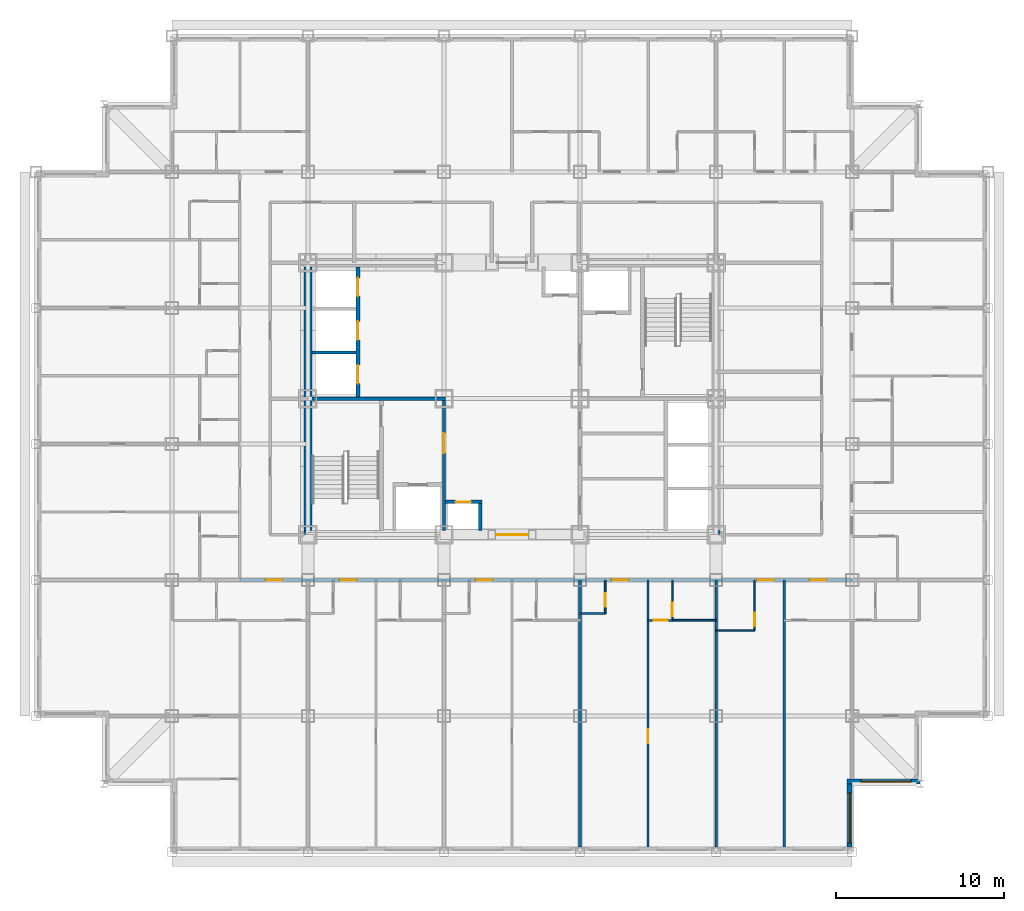
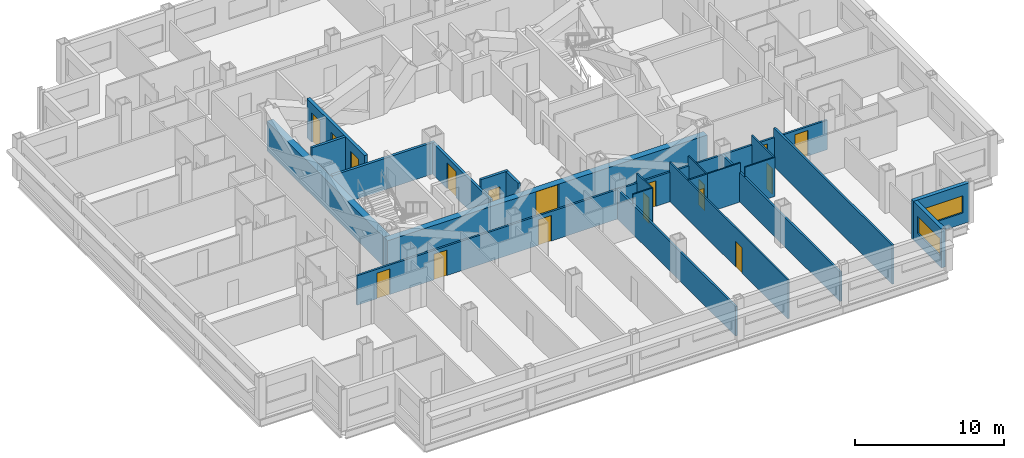
# One storey, part 6 of 12: 22 walls, 17 doors, 2 windows, 19 openings.
"""IFC4 building model written with IfcOpenShell, lengths in metres."""

from ifc_helpers import new_model, si_unit, direction, frame, frame_2d, origin, place, context, subcontext, project, spatial, rectangle, extrude, material, layer, layer_set, type_object, element, fill, save


model = new_model("IFC4")

# Units and contexts
model_context = context("Model", 3, precision=1e-05, world=origin(), true_north=direction((0.0, 1.0)))
body_context = subcontext(model_context, "Body", "Model", "MODEL_VIEW")
ifc_project = project(units=[si_unit("LENGTHUNIT", "METRE"), si_unit("AREAUNIT", "SQUARE_METRE"), si_unit("VOLUMEUNIT", "CUBIC_METRE"), si_unit("PLANEANGLEUNIT", "RADIAN"), si_unit("MASSUNIT", "GRAM", prefix="KILO")], contexts=[model_context])

# Site, building, storey
site_placement = place(None, origin())
site = spatial("IfcSite", under=ifc_project, at=site_placement, CompositionType="ELEMENT")
building_placement = place(site_placement, origin())
building = spatial("IfcBuilding", under=site, at=building_placement, Name="Kopane Lantern Tower", CompositionType="ELEMENT")
storey_placement = place(building_placement, frame((0.0, 0.0, 144.199951171875)))
storey = spatial("IfcBuildingStorey", under=building, at=storey_placement, Name="L37", CompositionType="ELEMENT", Elevation=144.199951171875)

# Wall, opening, door
ifc_material_1 = material(Name="Gypsum board on steel studs", Category="steel")
ifc_layer_1 = layer(ifc_material_1, 0.1201171875)
ifc_layer_set_1 = layer_set([ifc_layer_1], Name="APARTMENT INTERNAL WALL 120")
wall_type_1 = type_object("IfcWallType", Name="APARTMENT INTERNAL WALL 120", PredefinedType="PARTITIONING", material=ifc_layer_set_1)
wall_1_placement = place(storey_placement, frame((36.449951171875, 21.60009765625, 0.0), z_axis=(0.0, 0.0, 1.0), x_axis=(0.0, -1.0, 0.0)))
wall_1 = element("IfcWall", 1, at=wall_1_placement, inside=storey, type_object=wall_type_1, Name="Apartment Internal Wall 120 L37", PredefinedType="PARTITIONING", context=body_context, shape_type="SweptSolid", body=[
    extrude(rectangle(XDim=15.900146484375, YDim=0.1201171875, at=frame_2d((7.9501953125, 0.0))), origin(), (0.0, 0.0, 1.0), 3.18994140625),
])
opening_1_placement = place(wall_1_placement, frame((8.875, 0.0, 0.0)))
opening_1 = element("IfcOpeningElement", 2, at=opening_1_placement, cuts=wall_1, Name="Opening L37-023", PredefinedType="OPENING", context=body_context, shape_type="SweptSolid", body=[
    extrude(rectangle(XDim=0.85009765625, YDim=2.10009765625, at=frame_2d((0.425048828125, 1.050048828125))), frame((0.0, 0.070068359375, 0.0), z_axis=(0.0, -1.0, 0.0), x_axis=(1.0, 0.0, 0.0)), (0.0, 0.0, 1.0), 0.14013671875),
])
ifc_material_2 = material(Name="Timber door set", Category="wood")
door_type_1 = type_object("IfcDoorType", Name="DOOR D4 850x2100", OperationType="SINGLE_SWING_LEFT", PredefinedType="DOOR", material=ifc_material_2)
door_1_placement = place(opening_1_placement, origin())
door_1 = element("IfcDoor", 3, at=door_1_placement, inside=storey, type_object=door_type_1, Name="Door L37-023", OperationType="SINGLE_SWING_LEFT", OverallHeight=2.10009765625, OverallWidth=0.85009765625, PredefinedType="DOOR", context=body_context, shape_type="SweptSolid", body=[
    extrude(rectangle(XDim=0.85009765625, YDim=2.10009765625, at=frame_2d((0.425048828125, 1.050048828125))), frame((0.0, 0.02490234375, 0.0), z_axis=(0.0, -1.0, 0.0), x_axis=(1.0, 0.0, 0.0)), (0.0, 0.0, 1.0), 0.050048828125),
])
fill(opening_1, door_1)

wall_2_placement = place(storey_placement, frame((37.909912109375, 19.199951171875, 0.0), z_axis=(0.0, 0.0, 1.0), x_axis=(-1.0, 0.0, 0.0)))
wall_2 = element("IfcWall", 4, at=wall_2_placement, inside=storey, type_object=wall_type_1, Name="Apartment Internal Wall 120 L37", PredefinedType="PARTITIONING", context=body_context, shape_type="SweptSolid", body=[
    extrude(rectangle(XDim=1.4599609375, YDim=0.1201171875, at=frame_2d((0.72998046875, 0.0))), origin(), (0.0, 0.0, 1.0), 3.18994140625),
])
opening_2_placement = place(wall_2_placement, frame((0.27490234375, 0.0, 0.0)))
opening_2 = element("IfcOpeningElement", 5, at=opening_2_placement, cuts=wall_2, Name="Opening L37-075", PredefinedType="OPENING", context=body_context, shape_type="SweptSolid", body=[
    extrude(rectangle(XDim=0.85009765625, YDim=2.10009765625, at=frame_2d((0.425048828125, 1.050048828125))), frame((0.0, 0.070068359375, 0.0), z_axis=(0.0, -1.0, 0.0), x_axis=(1.0, 0.0, 0.0)), (0.0, 0.0, 1.0), 0.14013671875),
])
door_2_placement = place(opening_2_placement, origin())
door_2 = element("IfcDoor", 6, at=door_2_placement, inside=storey, type_object=door_type_1, Name="Door L37-075", OperationType="SINGLE_SWING_RIGHT", OverallHeight=2.10009765625, OverallWidth=0.85009765625, PredefinedType="DOOR", context=body_context, shape_type="SweptSolid", body=[
    extrude(rectangle(XDim=0.85009765625, YDim=2.10009765625, at=frame_2d((0.425048828125, 1.050048828125))), frame((0.0, 0.02490234375, 0.0), z_axis=(0.0, -1.0, 0.0), x_axis=(1.0, 0.0, 0.0)), (0.0, 0.0, 1.0), 0.050048828125),
])
fill(opening_2, door_2)

# Wall
ifc_material_3 = material(Name="Moisture-resistant board on steel studs", Category="steel")
ifc_layer_2 = layer(ifc_material_3, 0.10009765625)
ifc_layer_set_2 = layer_set([ifc_layer_2], Name="BATHROOM WALL 100")
wall_type_2 = type_object("IfcWallType", Name="BATHROOM WALL 100", PredefinedType="PARTITIONING", material=ifc_layer_set_2)
wall_3_placement = place(storey_placement, frame((32.39990234375, 19.60009765625, 0.0), z_axis=(0.0, 0.0, 1.0), x_axis=(1.0, 0.0, 0.0)))
element("IfcWall", 7, at=wall_3_placement, inside=storey, type_object=wall_type_2, Name="Bathroom Wall 100 L37", PredefinedType="PARTITIONING", context=body_context, shape_type="SweptSolid", body=[
    extrude(rectangle(XDim=1.5, YDim=0.10009765625, at=frame_2d((0.75, 0.0))), origin(), (0.0, 0.0, 1.0), 3.18994140625),
])

# Wall, opening, door
wall_4_placement = place(storey_placement, frame((33.89990234375, 21.60009765625, 0.0), z_axis=(0.0, 0.0, 1.0), x_axis=(0.0, -1.0, 0.0)))
wall_4 = element("IfcWall", 8, at=wall_4_placement, inside=storey, type_object=wall_type_2, Name="Bathroom Wall 100 L37", PredefinedType="PARTITIONING", context=body_context, shape_type="SweptSolid", body=[
    extrude(rectangle(XDim=2.0, YDim=0.10009765625, at=frame_2d((1.0, 0.0))), origin(), (0.0, 0.0, 1.0), 3.18994140625),
])
opening_3_placement = place(wall_4_placement, frame((0.800048828125, 0.0, 0.0)))
opening_3 = element("IfcOpeningElement", 9, at=opening_3_placement, cuts=wall_4, Name="Opening L37-020", PredefinedType="OPENING", context=body_context, shape_type="SweptSolid", body=[
    extrude(rectangle(XDim=0.800048828125, YDim=2.10009765625, at=frame_2d((0.39990234375, 1.050048828125))), frame((0.0, 0.06005859375, 0.0), z_axis=(0.0, -1.0, 0.0), x_axis=(1.0, 0.0, 0.0)), (0.0, 0.0, 1.0), 0.1201171875),
])
ifc_material_4 = material(Name="Timber door set", Category="wood")
door_type_2 = type_object("IfcDoorType", Name="DOOR D2 800x2100", OperationType="SINGLE_SWING_LEFT", PredefinedType="DOOR", material=ifc_material_4)
door_3_placement = place(opening_3_placement, origin())
door_3 = element("IfcDoor", 10, at=door_3_placement, inside=storey, type_object=door_type_2, Name="Door L37-020", OperationType="SINGLE_SWING_LEFT", OverallHeight=2.10009765625, OverallWidth=0.800048828125, PredefinedType="DOOR", context=body_context, shape_type="SweptSolid", body=[
    extrude(rectangle(XDim=0.800048828125, YDim=2.10009765625, at=frame_2d((0.39990234375, 1.050048828125))), frame((0.0, 0.02490234375, 0.0), z_axis=(0.0, -1.0, 0.0), x_axis=(1.0, 0.0, 0.0)), (0.0, 0.0, 1.0), 0.050048828125),
])
fill(opening_3, door_3)

# Wall
wall_5_placement = place(storey_placement, frame((37.89990234375, 19.199951171875, 0.0), z_axis=(0.0, 0.0, 1.0), x_axis=(1.0, 0.0, 0.0)))
element("IfcWall", 11, at=wall_5_placement, inside=storey, type_object=wall_type_2, Name="Bathroom Wall 100 L37", PredefinedType="PARTITIONING", context=body_context, shape_type="SweptSolid", body=[
    extrude(rectangle(XDim=2.60009765625, YDim=0.10009765625, at=frame_2d((1.300048828125, 0.0))), origin(), (0.0, 0.0, 1.0), 3.18994140625),
])

# Wall, opening, door
wall_6_placement = place(storey_placement, frame((37.89990234375, 21.60009765625, 0.0), z_axis=(0.0, 0.0, 1.0), x_axis=(0.0, -1.0, 0.0)))
wall_6 = element("IfcWall", 12, at=wall_6_placement, inside=storey, type_object=wall_type_2, Name="Bathroom Wall 100 L37", PredefinedType="PARTITIONING", context=body_context, shape_type="SweptSolid", body=[
    extrude(rectangle(XDim=2.400146484375, YDim=0.10009765625, at=frame_2d((1.2001953125, 0.0))), origin(), (0.0, 0.0, 1.0), 3.18994140625),
])
opening_4_placement = place(wall_6_placement, frame((1.35009765625, 0.0, 0.0)))
opening_4 = element("IfcOpeningElement", 13, at=opening_4_placement, cuts=wall_6, Name="Opening L37-022", PredefinedType="OPENING", context=body_context, shape_type="SweptSolid", body=[
    extrude(rectangle(XDim=0.800048828125, YDim=2.10009765625, at=frame_2d((0.39990234375, 1.050048828125))), frame((0.0, 0.06005859375, 0.0), z_axis=(0.0, -1.0, 0.0), x_axis=(1.0, 0.0, 0.0)), (0.0, 0.0, 1.0), 0.1201171875),
])
door_4_placement = place(opening_4_placement, origin())
door_4 = element("IfcDoor", 14, at=door_4_placement, inside=storey, type_object=door_type_2, Name="Door L37-022", OperationType="SINGLE_SWING_LEFT", OverallHeight=2.10009765625, OverallWidth=0.800048828125, PredefinedType="DOOR", context=body_context, shape_type="SweptSolid", body=[
    extrude(rectangle(XDim=0.800048828125, YDim=2.10009765625, at=frame_2d((0.39990234375, 1.050048828125))), frame((0.0, 0.02490234375, 0.0), z_axis=(0.0, -1.0, 0.0), x_axis=(1.0, 0.0, 0.0)), (0.0, 0.0, 1.0), 0.050048828125),
])
fill(opening_4, door_4)

# Wall
wall_7_placement = place(storey_placement, frame((40.5, 18.60009765625, 0.0), z_axis=(0.0, 0.0, 1.0), x_axis=(1.0, 0.0, 0.0)))
element("IfcWall", 15, at=wall_7_placement, inside=storey, type_object=wall_type_2, Name="Bathroom Wall 100 L37", PredefinedType="PARTITIONING", context=body_context, shape_type="SweptSolid", body=[
    extrude(rectangle(XDim=2.300048828125, YDim=0.10009765625, at=frame_2d((1.14990234375, 0.0))), origin(), (0.0, 0.0, 1.0), 3.18994140625),
])

# Wall, opening, door
wall_8_placement = place(storey_placement, frame((42.800048828125, 21.60009765625, 0.0), z_axis=(0.0, 0.0, 1.0), x_axis=(0.0, -1.0, 0.0)))
wall_8 = element("IfcWall", 16, at=wall_8_placement, inside=storey, type_object=wall_type_2, Name="Bathroom Wall 100 L37", PredefinedType="PARTITIONING", context=body_context, shape_type="SweptSolid", body=[
    extrude(rectangle(XDim=3.0, YDim=0.10009765625, at=frame_2d((1.5, 0.0))), origin(), (0.0, 0.0, 1.0), 3.18994140625),
])
opening_5_placement = place(wall_8_placement, frame((1.949951171875, 0.0, 0.0)))
opening_5 = element("IfcOpeningElement", 17, at=opening_5_placement, cuts=wall_8, Name="Opening L37-024", PredefinedType="OPENING", context=body_context, shape_type="SweptSolid", body=[
    extrude(rectangle(XDim=0.800048828125, YDim=2.10009765625, at=frame_2d((0.39990234375, 1.050048828125))), frame((0.0, 0.06005859375, 0.0), z_axis=(0.0, -1.0, 0.0), x_axis=(1.0, 0.0, 0.0)), (0.0, 0.0, 1.0), 0.1201171875),
])
door_5_placement = place(opening_5_placement, origin())
door_5 = element("IfcDoor", 18, at=door_5_placement, inside=storey, type_object=door_type_2, Name="Door L37-024", OperationType="SINGLE_SWING_LEFT", OverallHeight=2.10009765625, OverallWidth=0.800048828125, PredefinedType="DOOR", context=body_context, shape_type="SweptSolid", body=[
    extrude(rectangle(XDim=0.800048828125, YDim=2.10009765625, at=frame_2d((0.39990234375, 1.050048828125))), frame((0.0, 0.02490234375, 0.0), z_axis=(0.0, -1.0, 0.0), x_axis=(1.0, 0.0, 0.0)), (0.0, 0.0, 1.0), 0.050048828125),
])
fill(opening_5, door_5)

ifc_material_5 = material(Name="Gypsum shaft wall EI 120", Category="gypsum")
ifc_layer_3 = layer(ifc_material_5, 0.5)
ifc_layer_set_3 = layer_set([ifc_layer_3], Name="CORE PERIMETER WALL 500 EI 120")
wall_type_3 = type_object("IfcWallType", Name="CORE PERIMETER WALL 500 EI 120", PredefinedType="SOLIDWALL", material=ifc_layer_set_3)
wall_9_placement = place(storey_placement, frame((15.949951171875, 24.300048828125, 0.0), z_axis=(0.0, 0.0, 1.0), x_axis=(1.0, 0.0, 0.0)))
wall_9 = element("IfcWall", 19, at=wall_9_placement, inside=storey, type_object=wall_type_3, Name="Core shaft wall L37 PS", PredefinedType="SOLIDWALL", context=body_context, shape_type="SweptSolid", body=[
    extrude(rectangle(XDim=24.800048828125, YDim=0.5, at=frame_2d((12.39990234375, 0.0))), origin(), (0.0, 0.0, 1.0), 2.420166015625),
])
opening_6_placement = place(wall_9_placement, frame((11.5, 0.0, 0.0)))
opening_6 = element("IfcOpeningElement", 20, at=opening_6_placement, cuts=wall_9, Name="Opening 37.CE-S", PredefinedType="OPENING", context=body_context, shape_type="SweptSolid", body=[
    extrude(rectangle(XDim=1.800048828125, YDim=2.39990234375, at=frame_2d((0.89990234375, 1.199951171875))), frame((0.0, 0.260009765625, 0.0), z_axis=(0.0, -1.0, 0.0), x_axis=(1.0, 0.0, 0.0)), (0.0, 0.0, 1.0), 0.52001953125),
])
ifc_material_6 = material(Name="Steel door set", Category="steel")
door_type_3 = type_object("IfcDoorType", Name="CORE ENTRY DOOR 1800x2400 FD60S", OperationType="DOUBLE_DOOR_SINGLE_SWING", PredefinedType="DOOR", material=ifc_material_6)
door_6_placement = place(opening_6_placement, origin())
door_6 = element("IfcDoor", 21, at=door_6_placement, inside=storey, type_object=door_type_3, Name="Core entry door L37 south", OperationType="DOUBLE_DOOR_SINGLE_SWING", OverallHeight=2.39990234375, OverallWidth=1.800048828125, PredefinedType="DOOR", context=body_context, shape_type="SweptSolid", body=[
    extrude(rectangle(XDim=1.800048828125, YDim=2.39990234375, at=frame_2d((0.89990234375, 1.199951171875))), frame((0.0, 0.02490234375, 0.0), z_axis=(0.0, -1.0, 0.0), x_axis=(1.0, 0.0, 0.0)), (0.0, 0.0, 1.0), 0.050048828125),
])
fill(opening_6, door_6)

# Wall
wall_10_placement = place(storey_placement, frame((16.199951171875, 24.550048828125, 0.0), z_axis=(0.0, 0.0, 1.0), x_axis=(0.0, 1.0, 0.0)))
element("IfcWall", 22, at=wall_10_placement, inside=storey, type_object=wall_type_3, Name="Core shaft wall L37 PW", PredefinedType="SOLIDWALL", context=body_context, shape_type="SweptSolid", body=[
    extrude(rectangle(XDim=15.699951171875, YDim=0.5, at=frame_2d((7.85009765625, 0.0))), origin(), (0.0, 0.0, 1.0), 2.420166015625),
])

# Wall, openings, doors
ifc_material_7 = material(Name="Gypsum shaft wall EI 120", Category="gypsum")
ifc_layer_4 = layer(ifc_material_7, 0.25)
ifc_layer_set_4 = layer_set([ifc_layer_4], Name="CORE SHAFT WALL 250 EI 120")
wall_type_4 = type_object("IfcWallType", Name="CORE SHAFT WALL 250 EI 120", PredefinedType="SOLIDWALL", material=ifc_layer_set_4)
wall_11_placement = place(storey_placement, frame((19.175048828125, 32.5, 0.0), z_axis=(0.0, 0.0, 1.0), x_axis=(0.0, 1.0, 0.0)))
wall_11 = element("IfcWall", 23, at=wall_11_placement, inside=storey, type_object=wall_type_4, Name="Core shaft wall L37 XLH", PredefinedType="SOLIDWALL", context=body_context, shape_type="SweptSolid", body=[
    extrude(rectangle(XDim=7.75, YDim=0.25, at=frame_2d((3.875, 0.0))), origin(), (0.0, 0.0, 1.0), 3.18994140625),
])
opening_7_placement = place(wall_11_placement, frame((0.800048828125, 0.0, 0.0)))
opening_7 = element("IfcOpeningElement", 24, at=opening_7_placement, cuts=wall_11, Name="Opening 37.LD-LH1", PredefinedType="OPENING", context=body_context, shape_type="SweptSolid", body=[
    extrude(rectangle(XDim=1.10009765625, YDim=2.39990234375, at=frame_2d((0.550048828125, 1.199951171875))), frame((0.0, 0.135009765625, 0.0), z_axis=(0.0, -1.0, 0.0), x_axis=(1.0, 0.0, 0.0)), (0.0, 0.0, 1.0), 0.27001953125),
])
opening_8_placement = place(wall_11_placement, frame((3.39990234375, 0.0, 0.0)))
opening_8 = element("IfcOpeningElement", 25, at=opening_8_placement, cuts=wall_11, Name="Opening 37.LD-LH2", PredefinedType="OPENING", context=body_context, shape_type="SweptSolid", body=[
    extrude(rectangle(XDim=1.10009765625, YDim=2.39990234375, at=frame_2d((0.550048828125, 1.199951171875))), frame((0.0, 0.135009765625, 0.0), z_axis=(0.0, -1.0, 0.0), x_axis=(1.0, 0.0, 0.0)), (0.0, 0.0, 1.0), 0.27001953125),
])
opening_9_placement = place(wall_11_placement, frame((6.0, 0.0, 0.0)))
opening_9 = element("IfcOpeningElement", 26, at=opening_9_placement, cuts=wall_11, Name="Opening 37.LD-LH3", PredefinedType="OPENING", context=body_context, shape_type="SweptSolid", body=[
    extrude(rectangle(XDim=1.10009765625, YDim=2.39990234375, at=frame_2d((0.550048828125, 1.199951171875))), frame((0.0, 0.135009765625, 0.0), z_axis=(0.0, -1.0, 0.0), x_axis=(1.0, 0.0, 0.0)), (0.0, 0.0, 1.0), 0.27001953125),
])
ifc_material_8 = material(Name="Steel door set", Category="steel")
door_type_4 = type_object("IfcDoorType", Name="LIFT LANDING DOOR 1100x2400 FD60", OperationType="DOUBLE_DOOR_SLIDING", PredefinedType="DOOR", material=ifc_material_8)
door_7_placement = place(opening_7_placement, origin())
door_7 = element("IfcDoor", 27, at=door_7_placement, inside=storey, type_object=door_type_4, Name="Landing door LH1 L37", OperationType="DOUBLE_DOOR_SLIDING", OverallHeight=2.39990234375, OverallWidth=1.10009765625, PredefinedType="DOOR", context=body_context, shape_type="SweptSolid", body=[
    extrude(rectangle(XDim=1.10009765625, YDim=2.39990234375, at=frame_2d((0.550048828125, 1.199951171875))), frame((0.0, 0.02490234375, 0.0), z_axis=(0.0, -1.0, 0.0), x_axis=(1.0, 0.0, 0.0)), (0.0, 0.0, 1.0), 0.050048828125),
])
fill(opening_7, door_7)
door_8_placement = place(opening_8_placement, origin())
door_8 = element("IfcDoor", 28, at=door_8_placement, inside=storey, type_object=door_type_4, Name="Landing door LH2 L37", OperationType="DOUBLE_DOOR_SLIDING", OverallHeight=2.39990234375, OverallWidth=1.10009765625, PredefinedType="DOOR", context=body_context, shape_type="SweptSolid", body=[
    extrude(rectangle(XDim=1.10009765625, YDim=2.39990234375, at=frame_2d((0.550048828125, 1.199951171875))), frame((0.0, 0.02490234375, 0.0), z_axis=(0.0, -1.0, 0.0), x_axis=(1.0, 0.0, 0.0)), (0.0, 0.0, 1.0), 0.050048828125),
])
fill(opening_8, door_8)
door_9_placement = place(opening_9_placement, origin())
door_9 = element("IfcDoor", 29, at=door_9_placement, inside=storey, type_object=door_type_4, Name="Landing door LH3 L37", OperationType="DOUBLE_DOOR_SLIDING", OverallHeight=2.39990234375, OverallWidth=1.10009765625, PredefinedType="DOOR", context=body_context, shape_type="SweptSolid", body=[
    extrude(rectangle(XDim=1.10009765625, YDim=2.39990234375, at=frame_2d((0.550048828125, 1.199951171875))), frame((0.0, 0.02490234375, 0.0), z_axis=(0.0, -1.0, 0.0), x_axis=(1.0, 0.0, 0.0)), (0.0, 0.0, 1.0), 0.050048828125),
])
fill(opening_9, door_9)

ifc_material_9 = material(Name="Gypsum board on steel studs", Category="steel")
ifc_layer_5 = layer(ifc_material_9, 0.14990234375)
ifc_layer_set_5 = layer_set([ifc_layer_5], Name="CORRIDOR WALL 150 EI 60")
wall_type_5 = type_object("IfcWallType", Name="CORRIDOR WALL 150 EI 60", PredefinedType="PARTITIONING", material=ifc_layer_set_5)
wall_12_placement = place(storey_placement, frame((12.14990234375, 21.60009765625, 0.0), z_axis=(0.0, 0.0, 1.0), x_axis=(1.0, 0.0, 0.0)))
wall_12 = element("IfcWall", 30, at=wall_12_placement, inside=storey, type_object=wall_type_5, Name="Corridor Wall 150 Ei 60 L37", PredefinedType="PARTITIONING", context=body_context, shape_type="SweptSolid", body=[
    extrude(rectangle(XDim=36.4501953125, YDim=0.14990234375, at=frame_2d((18.22509765625, 0.0))), origin(), (0.0, 0.0, 1.0), 2.420166015625),
])
opening_10_placement = place(wall_12_placement, frame((5.949951171875, 0.0, 0.0)))
opening_10 = element("IfcOpeningElement", 31, at=opening_10_placement, cuts=wall_12, Name="Opening L37-013", PredefinedType="OPENING", context=body_context, shape_type="SweptSolid", body=[
    extrude(rectangle(XDim=1.0, YDim=2.10009765625, at=frame_2d((0.5, 1.050048828125))), frame((0.0, 0.0849609375, 0.0), z_axis=(0.0, -1.0, 0.0), x_axis=(1.0, 0.0, 0.0)), (0.0, 0.0, 1.0), 0.169921875),
])
opening_11_placement = place(wall_12_placement, frame((14.050048828125, 0.0, 0.0)))
opening_11 = element("IfcOpeningElement", 32, at=opening_11_placement, cuts=wall_12, Name="Opening L37-017", PredefinedType="OPENING", context=body_context, shape_type="SweptSolid", body=[
    extrude(rectangle(XDim=1.0, YDim=2.10009765625, at=frame_2d((0.5, 1.050048828125))), frame((0.0, 0.0849609375, 0.0), z_axis=(0.0, -1.0, 0.0), x_axis=(1.0, 0.0, 0.0)), (0.0, 0.0, 1.0), 0.169921875),
])
opening_12_placement = place(wall_12_placement, frame((22.14990234375, 0.0, 0.0)))
opening_12 = element("IfcOpeningElement", 33, at=opening_12_placement, cuts=wall_12, Name="Opening L37-021", PredefinedType="OPENING", context=body_context, shape_type="SweptSolid", body=[
    extrude(rectangle(XDim=1.0, YDim=2.10009765625, at=frame_2d((0.5, 1.050048828125))), frame((0.0, 0.0849609375, 0.0), z_axis=(0.0, -1.0, 0.0), x_axis=(1.0, 0.0, 0.0)), (0.0, 0.0, 1.0), 0.169921875),
])
opening_13_placement = place(wall_12_placement, frame((30.800048828125, 0.0, 0.0)))
opening_13 = element("IfcOpeningElement", 34, at=opening_13_placement, cuts=wall_12, Name="Opening L37-025", PredefinedType="OPENING", context=body_context, shape_type="SweptSolid", body=[
    extrude(rectangle(XDim=1.0, YDim=2.10009765625, at=frame_2d((0.5, 1.050048828125))), frame((0.0, 0.0849609375, 0.0), z_axis=(0.0, -1.0, 0.0), x_axis=(1.0, 0.0, 0.0)), (0.0, 0.0, 1.0), 0.169921875),
])
opening_14_placement = place(wall_12_placement, frame((1.52490234375, 0.0, 0.0)))
opening_14 = element("IfcOpeningElement", 35, at=opening_14_placement, cuts=wall_12, Name="Opening L37-056", PredefinedType="OPENING", context=body_context, shape_type="SweptSolid", body=[
    extrude(rectangle(XDim=1.0, YDim=2.10009765625, at=frame_2d((0.5, 1.050048828125))), frame((0.0, 0.0849609375, 0.0), z_axis=(0.0, -1.0, 0.0), x_axis=(1.0, 0.0, 0.0)), (0.0, 0.0, 1.0), 0.169921875),
])
opening_15_placement = place(wall_12_placement, frame((33.925048828125, 0.0, 0.0)))
opening_15 = element("IfcOpeningElement", 36, at=opening_15_placement, cuts=wall_12, Name="Opening L37-061", PredefinedType="OPENING", context=body_context, shape_type="SweptSolid", body=[
    extrude(rectangle(XDim=1.0, YDim=2.10009765625, at=frame_2d((0.5, 1.050048828125))), frame((0.0, 0.0849609375, 0.0), z_axis=(0.0, -1.0, 0.0), x_axis=(1.0, 0.0, 0.0)), (0.0, 0.0, 1.0), 0.169921875),
])
ifc_material_10 = material(Name="Steel door set", Category="steel")
door_type_5 = type_object("IfcDoorType", Name="DOOR D1 1000x2100 FD30S", OperationType="SINGLE_SWING_LEFT", PredefinedType="DOOR", material=ifc_material_10)
door_10_placement = place(opening_10_placement, origin())
door_10 = element("IfcDoor", 37, at=door_10_placement, inside=storey, type_object=door_type_5, Name="Door L37-013", OperationType="SINGLE_SWING_RIGHT", OverallHeight=2.10009765625, OverallWidth=1.0, PredefinedType="DOOR", context=body_context, shape_type="SweptSolid", body=[
    extrude(rectangle(XDim=1.0, YDim=2.10009765625, at=frame_2d((0.5, 1.050048828125))), frame((0.0, 0.02490234375, 0.0), z_axis=(0.0, -1.0, 0.0), x_axis=(1.0, 0.0, 0.0)), (0.0, 0.0, 1.0), 0.050048828125),
])
fill(opening_10, door_10)
door_11_placement = place(opening_11_placement, origin())
door_11 = element("IfcDoor", 38, at=door_11_placement, inside=storey, type_object=door_type_5, Name="Door L37-017", OperationType="SINGLE_SWING_RIGHT", OverallHeight=2.10009765625, OverallWidth=1.0, PredefinedType="DOOR", context=body_context, shape_type="SweptSolid", body=[
    extrude(rectangle(XDim=1.0, YDim=2.10009765625, at=frame_2d((0.5, 1.050048828125))), frame((0.0, 0.02490234375, 0.0), z_axis=(0.0, -1.0, 0.0), x_axis=(1.0, 0.0, 0.0)), (0.0, 0.0, 1.0), 0.050048828125),
])
fill(opening_11, door_11)
door_12_placement = place(opening_12_placement, origin())
door_12 = element("IfcDoor", 39, at=door_12_placement, inside=storey, type_object=door_type_5, Name="Door L37-021", OperationType="SINGLE_SWING_RIGHT", OverallHeight=2.10009765625, OverallWidth=1.0, PredefinedType="DOOR", context=body_context, shape_type="SweptSolid", body=[
    extrude(rectangle(XDim=1.0, YDim=2.10009765625, at=frame_2d((0.5, 1.050048828125))), frame((0.0, 0.02490234375, 0.0), z_axis=(0.0, -1.0, 0.0), x_axis=(1.0, 0.0, 0.0)), (0.0, 0.0, 1.0), 0.050048828125),
])
fill(opening_12, door_12)
door_13_placement = place(opening_13_placement, origin())
door_13 = element("IfcDoor", 40, at=door_13_placement, inside=storey, type_object=door_type_5, Name="Door L37-025", OperationType="SINGLE_SWING_RIGHT", OverallHeight=2.10009765625, OverallWidth=1.0, PredefinedType="DOOR", context=body_context, shape_type="SweptSolid", body=[
    extrude(rectangle(XDim=1.0, YDim=2.10009765625, at=frame_2d((0.5, 1.050048828125))), frame((0.0, 0.02490234375, 0.0), z_axis=(0.0, -1.0, 0.0), x_axis=(1.0, 0.0, 0.0)), (0.0, 0.0, 1.0), 0.050048828125),
])
fill(opening_13, door_13)
door_14_placement = place(opening_14_placement, origin())
door_14 = element("IfcDoor", 41, at=door_14_placement, inside=storey, type_object=door_type_5, Name="Door L37-056", OperationType="SINGLE_SWING_LEFT", OverallHeight=2.10009765625, OverallWidth=1.0, PredefinedType="DOOR", context=body_context, shape_type="SweptSolid", body=[
    extrude(rectangle(XDim=1.0, YDim=2.10009765625, at=frame_2d((0.5, 1.050048828125))), frame((0.0, 0.02490234375, 0.0), z_axis=(0.0, -1.0, 0.0), x_axis=(1.0, 0.0, 0.0)), (0.0, 0.0, 1.0), 0.050048828125),
])
fill(opening_14, door_14)
door_15_placement = place(opening_15_placement, origin())
door_15 = element("IfcDoor", 42, at=door_15_placement, inside=storey, type_object=door_type_5, Name="Door L37-061", OperationType="SINGLE_SWING_RIGHT", OverallHeight=2.10009765625, OverallWidth=1.0, PredefinedType="DOOR", context=body_context, shape_type="SweptSolid", body=[
    extrude(rectangle(XDim=1.0, YDim=2.10009765625, at=frame_2d((0.5, 1.050048828125))), frame((0.0, 0.02490234375, 0.0), z_axis=(0.0, -1.0, 0.0), x_axis=(1.0, 0.0, 0.0)), (0.0, 0.0, 1.0), 0.050048828125),
])
fill(opening_15, door_15)

# Walls
ifc_material_11 = material(Name="Gypsum board on steel studs", Category="steel")
ifc_layer_6 = layer(ifc_material_11, 0.14990234375)
ifc_layer_set_6 = layer_set([ifc_layer_6], Name="DEMISING WALL 150 EI 60")
wall_type_6 = type_object("IfcWallType", Name="DEMISING WALL 150 EI 60", PredefinedType="PARTITIONING", material=ifc_layer_set_6)
for number, where, z_axis, x_axis, name in (
    (43, (32.39990234375, 21.60009765625, 0.0), (0.0, 0.0, 1.0), (0.0, -1.0, 0.0), "Demising Wall 150 Ei 60 L37"),
    (44, (40.5, 21.60009765625, 0.0), (0.0, 0.0, 1.0), (0.0, -1.0, 0.0), "Demising Wall 150 Ei 60 L37"),
):
    element("IfcWall", number, at=place(storey_placement, frame(where, z_axis=z_axis, x_axis=x_axis)), inside=storey, type_object=wall_type_6, Name=name, PredefinedType="PARTITIONING", context=body_context, shape_type="SweptSolid", body=[
        extrude(rectangle(XDim=15.900146484375, YDim=0.14990234375, at=frame_2d((7.9501953125, 0.0))), origin(), (0.0, 0.0, 1.0), 2.420166015625),
    ])
wall_13_placement = place(storey_placement, frame((44.550048828125, 21.60009765625, 0.0), z_axis=(0.0, 0.0, 1.0), x_axis=(0.0, -1.0, 0.0)))
element("IfcWall", 45, at=wall_13_placement, inside=storey, type_object=wall_type_6, Name="Demising Wall 150 Ei 60 L37", PredefinedType="PARTITIONING", context=body_context, shape_type="SweptSolid", body=[
    extrude(rectangle(XDim=15.900146484375, YDim=0.14990234375, at=frame_2d((7.9501953125, 0.0))), origin(), (0.0, 0.0, 1.0), 3.18994140625),
])

# Wall, opening, window
ifc_material_12 = material(Name="Terracotta rainscreen on light steel framing", Category="masonry")
ifc_layer_7 = layer(ifc_material_12, 0.300048828125)
ifc_layer_set_7 = layer_set([ifc_layer_7], Name="EXTERNAL WALL EW1 300 TERRACOTTA")
wall_type_7 = type_object("IfcWallType", Name="EXTERNAL WALL EW1 300 TERRACOTTA", PredefinedType="SOLIDWALL", material=ifc_layer_set_7)
wall_14_placement = place(storey_placement, frame((48.449951171875, 5.699951171875, 0.0), z_axis=(0.0, 0.0, 1.0), x_axis=(0.0, 1.0, 0.0)))
wall_14 = element("IfcWall", 46, at=wall_14_placement, inside=storey, type_object=wall_type_7, Name="External wall E L37", PredefinedType="SOLIDWALL", context=body_context, shape_type="SweptSolid", body=[
    extrude(rectangle(XDim=3.75, YDim=0.300048828125, at=frame_2d((1.875, 0.0))), origin(), (0.0, 0.0, 1.0), 3.18994140625),
])
opening_16_placement = place(wall_14_placement, frame((0.22509765625, 0.0, 0.89990234375)))
opening_16 = element("IfcOpeningElement", 47, at=opening_16_placement, cuts=wall_14, Name="Opening WR300140", PredefinedType="OPENING", context=body_context, shape_type="SweptSolid", body=[
    extrude(rectangle(XDim=3.0, YDim=1.39990234375, at=frame_2d((1.5, 0.699951171875))), frame((0.0, 0.159912109375, 0.0), z_axis=(0.0, -1.0, 0.0), x_axis=(1.0, 0.0, 0.0)), (0.0, 0.0, 1.0), 0.320068359375),
])
ifc_material_13 = material(Name="Aluminium and clear glass", Category="aluminium")
window_type = type_object("IfcWindowType", Name="RIBBON WINDOW WR300140 3000x1400", PartitioningType="SINGLE_PANEL", PredefinedType="WINDOW", material=ifc_material_13)
window_1_placement = place(opening_16_placement, origin())
window_1 = element("IfcWindow", 48, at=window_1_placement, inside=storey, type_object=window_type, Name="Window E L37", OverallHeight=1.39990234375, OverallWidth=3.0, PartitioningType="SINGLE_PANEL", PredefinedType="WINDOW", context=body_context, shape_type="SweptSolid", body=[
    extrude(rectangle(XDim=3.0, YDim=1.39990234375, at=frame_2d((1.5, 0.699951171875))), frame((0.0, 0.030029296875, 0.0), z_axis=(0.0, -1.0, 0.0), x_axis=(1.0, 0.0, 0.0)), (0.0, 0.0, 1.0), 0.06005859375),
])
fill(opening_16, window_1)

wall_15_placement = place(storey_placement, frame((48.300048828125, 9.60009765625, 0.0), z_axis=(0.0, 0.0, 1.0), x_axis=(1.0, 0.0, 0.0)))
wall_15 = element("IfcWall", 49, at=wall_15_placement, inside=storey, type_object=wall_type_7, Name="External wall S L37", PredefinedType="SOLIDWALL", context=body_context, shape_type="SweptSolid", body=[
    extrude(rectangle(XDim=4.349853515625, YDim=0.300048828125, at=frame_2d((2.1748046875, 0.0))), origin(), (0.0, 0.0, 1.0), 3.18994140625),
])
opening_17_placement = place(wall_15_placement, frame((0.824951171875, 0.0, 0.89990234375)))
opening_17 = element("IfcOpeningElement", 50, at=opening_17_placement, cuts=wall_15, Name="Opening WR300140", PredefinedType="OPENING", context=body_context, shape_type="SweptSolid", body=[
    extrude(rectangle(XDim=3.0, YDim=1.39990234375, at=frame_2d((1.5, 0.699951171875))), frame((0.0, 0.159912109375, 0.0), z_axis=(0.0, -1.0, 0.0), x_axis=(1.0, 0.0, 0.0)), (0.0, 0.0, 1.0), 0.320068359375),
])
window_2_placement = place(opening_17_placement, origin())
window_2 = element("IfcWindow", 51, at=window_2_placement, inside=storey, type_object=window_type, Name="Window S L37", OverallHeight=1.39990234375, OverallWidth=3.0, PartitioningType="SINGLE_PANEL", PredefinedType="WINDOW", context=body_context, shape_type="SweptSolid", body=[
    extrude(rectangle(XDim=3.0, YDim=1.39990234375, at=frame_2d((1.5, 0.699951171875))), frame((0.0, 0.030029296875, 0.0), z_axis=(0.0, -1.0, 0.0), x_axis=(1.0, 0.0, 0.0)), (0.0, 0.0, 1.0), 0.06005859375),
])
fill(opening_17, window_2)

# Wall
ifc_material_14 = material(Name="Gypsum shaft wall EI 120", Category="gypsum")
ifc_layer_8 = layer(ifc_material_14, 0.199951171875)
ifc_layer_set_8 = layer_set([ifc_layer_8], Name="SHAFT WALL 200 EI 120")
wall_type_8 = type_object("IfcWallType", Name="SHAFT WALL 200 EI 120", PredefinedType="SOLIDWALL", material=ifc_layer_set_8)
wall_16_placement = place(storey_placement, frame((16.449951171875, 32.39990234375, 0.0), z_axis=(0.0, 0.0, 1.0), x_axis=(1.0, 0.0, 0.0)))
element("IfcWall", 52, at=wall_16_placement, inside=storey, type_object=wall_type_8, Name="Core shaft wall L37 Y324W", PredefinedType="SOLIDWALL", context=body_context, shape_type="SweptSolid", body=[
    extrude(rectangle(XDim=7.949951171875, YDim=0.199951171875, at=frame_2d((3.97509765625, 0.0))), origin(), (0.0, 0.0, 1.0), 2.577880859375),
])

# Wall, opening, door
wall_17_placement = place(storey_placement, frame((24.300048828125, 24.550048828125, 0.0), z_axis=(0.0, 0.0, 1.0), x_axis=(0.0, 1.0, 0.0)))
wall_17 = element("IfcWall", 53, at=wall_17_placement, inside=storey, type_object=wall_type_8, Name="Core shaft wall L37 X243", PredefinedType="SOLIDWALL", context=body_context, shape_type="SweptSolid", body=[
    extrude(rectangle(XDim=7.75, YDim=0.199951171875, at=frame_2d((3.875, 0.0))), origin(), (0.0, 0.0, 1.0), 2.577880859375),
])
opening_18_placement = place(wall_17_placement, frame((4.60009765625, 0.0, 0.0)))
opening_18 = element("IfcOpeningElement", 54, at=opening_18_placement, cuts=wall_17, Name="Opening 37.FL1", PredefinedType="OPENING", context=body_context, shape_type="SweptSolid", body=[
    extrude(rectangle(XDim=1.199951171875, YDim=2.10009765625, at=frame_2d((0.60009765625, 1.050048828125))), frame((0.0, 0.10986328125, 0.0), z_axis=(0.0, -1.0, 0.0), x_axis=(1.0, 0.0, 0.0)), (0.0, 0.0, 1.0), 0.219970703125),
])
ifc_material_15 = material(Name="Steel door set", Category="steel")
door_type_6 = type_object("IfcDoorType", Name="FIREFIGHTING LOBBY DOOR 1200x2100 FD60S", OperationType="SINGLE_SWING_RIGHT", PredefinedType="DOOR", material=ifc_material_15)
door_16_placement = place(opening_18_placement, origin())
door_16 = element("IfcDoor", 55, at=door_16_placement, inside=storey, type_object=door_type_6, Name="Firefighting lobby door FL1 L37", OperationType="SINGLE_SWING_LEFT", OverallHeight=2.10009765625, OverallWidth=1.199951171875, PredefinedType="DOOR", context=body_context, shape_type="SweptSolid", body=[
    extrude(rectangle(XDim=1.199951171875, YDim=2.10009765625, at=frame_2d((0.60009765625, 1.050048828125))), frame((0.0, 0.02490234375, 0.0), z_axis=(0.0, -1.0, 0.0), x_axis=(1.0, 0.0, 0.0)), (0.0, 0.0, 1.0), 0.050048828125),
])
fill(opening_18, door_16)

# Walls
wall_18_placement = place(storey_placement, frame((16.449951171875, 35.14990234375, 0.0), z_axis=(0.0, 0.0, 1.0), x_axis=(1.0, 0.0, 0.0)))
element("IfcWall", 56, at=wall_18_placement, inside=storey, type_object=wall_type_8, Name="Core shaft wall L37 YLH12", PredefinedType="SOLIDWALL", context=body_context, shape_type="SweptSolid", body=[
    extrude(rectangle(XDim=2.60009765625, YDim=0.199951171875, at=frame_2d((1.300048828125, 0.0))), origin(), (0.0, 0.0, 1.0), 3.18994140625),
])
wall_19_placement = place(storey_placement, frame((26.449951171875, 24.550048828125, 0.0), z_axis=(0.0, 0.0, 1.0), x_axis=(0.0, 1.0, 0.0)))
element("IfcWall", 57, at=wall_19_placement, inside=storey, type_object=wall_type_8, Name="Core shaft wall L37 XRS1", PredefinedType="SOLIDWALL", context=body_context, shape_type="SweptSolid", body=[
    extrude(rectangle(XDim=1.599853515625, YDim=0.199951171875, at=frame_2d((0.7998046875, 0.0))), origin(), (0.0, 0.0, 1.0), 3.18994140625),
])

# Wall, opening, door
wall_20_placement = place(storey_placement, frame((24.39990234375, 26.25, 0.0), z_axis=(0.0, 0.0, 1.0), x_axis=(1.0, 0.0, 0.0)))
wall_20 = element("IfcWall", 58, at=wall_20_placement, inside=storey, type_object=wall_type_8, Name="Core shaft wall L37 YRS1", PredefinedType="SOLIDWALL", context=body_context, shape_type="SweptSolid", body=[
    extrude(rectangle(XDim=2.150146484375, YDim=0.199951171875, at=frame_2d((1.0751953125, 0.0))), origin(), (0.0, 0.0, 1.0), 3.18994140625),
])
opening_19_placement = place(wall_20_placement, frame((0.60009765625, 0.0, 0.0)))
opening_19 = element("IfcOpeningElement", 59, at=opening_19_placement, cuts=wall_20, Name="Opening 37.RS1", PredefinedType="OPENING", context=body_context, shape_type="SweptSolid", body=[
    extrude(rectangle(XDim=0.89990234375, YDim=2.10009765625, at=frame_2d((0.449951171875, 1.050048828125))), frame((0.0, 0.10986328125, 0.0), z_axis=(0.0, -1.0, 0.0), x_axis=(1.0, 0.0, 0.0)), (0.0, 0.0, 1.0), 0.219970703125),
])
ifc_material_16 = material(Name="Steel door set", Category="steel")
door_type_7 = type_object("IfcDoorType", Name="RISER ACCESS DOOR 900x2100 FD60", OperationType="SINGLE_SWING_LEFT", PredefinedType="DOOR", material=ifc_material_16)
door_17_placement = place(opening_19_placement, origin())
door_17 = element("IfcDoor", 60, at=door_17_placement, inside=storey, type_object=door_type_7, Name="Riser access door RS1 L37", OperationType="SINGLE_SWING_LEFT", OverallHeight=2.10009765625, OverallWidth=0.89990234375, PredefinedType="DOOR", context=body_context, shape_type="SweptSolid", body=[
    extrude(rectangle(XDim=0.89990234375, YDim=2.10009765625, at=frame_2d((0.449951171875, 1.050048828125))), frame((0.0, 0.02490234375, 0.0), z_axis=(0.0, -1.0, 0.0), x_axis=(1.0, 0.0, 0.0)), (0.0, 0.0, 1.0), 0.050048828125),
])
fill(opening_19, door_17)

save(model, "model.ifc")
